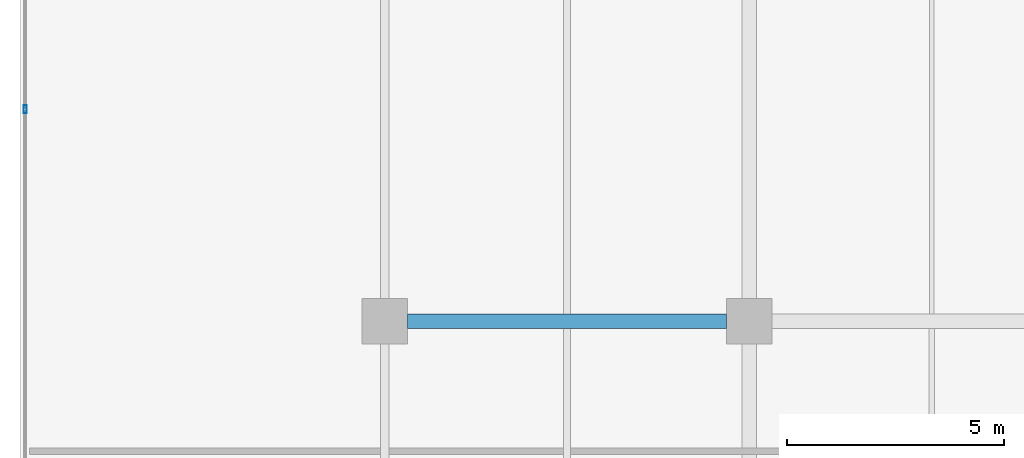
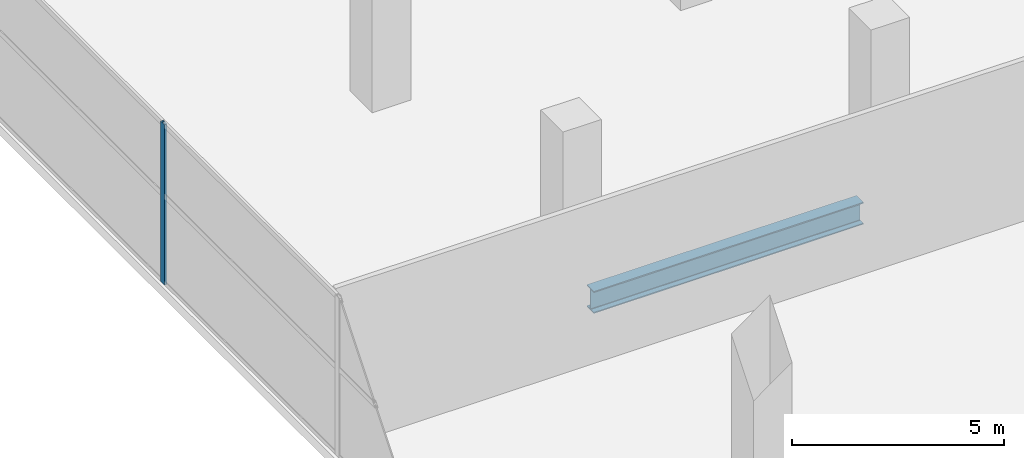
# One storey, part 9 of 39: 1 beam, 1 member, 1 element without a shape of its own.
"""IFC4 building model written with IfcOpenShell, lengths in metres."""

from ifc_helpers import new_model, si_unit, direction, frame, origin, origin_2d, place, context, subcontext, project, spatial, hollow_rectangle, i_section, extrude, material, layer, layer_set, material_profile, profile_set, type_object, element, aggregate, save


model = new_model("IFC4")

# Units and contexts
model_context = context("Model", 3, precision=1e-05, world=origin(), true_north=direction((0.0, 1.0)))
body_context = subcontext(model_context, "Body", "Model", "MODEL_VIEW")
ifc_project = project(units=[si_unit("LENGTHUNIT", "METRE"), si_unit("AREAUNIT", "SQUARE_METRE"), si_unit("VOLUMEUNIT", "CUBIC_METRE"), si_unit("PLANEANGLEUNIT", "RADIAN"), si_unit("MASSUNIT", "GRAM", prefix="KILO")], contexts=[model_context])

# Site, building, storey
site_placement = place(None, origin())
site = spatial("IfcSite", under=ifc_project, at=site_placement, CompositionType="ELEMENT")
building_placement = place(site_placement, origin())
building = spatial("IfcBuilding", under=site, at=building_placement, Name="Maruvema Waterfront Hotel and Observation Tower", CompositionType="ELEMENT")
storey_placement = place(building_placement, frame((0.0, 0.0, 16.449951171875)))
storey = spatial("IfcBuildingStorey", under=building, at=storey_placement, Name="L03", CompositionType="ELEMENT", Elevation=16.449951171875)

# Curtain wall, member
ifc_material_1 = material(Name="Anodised bronze aluminium and solar-control low-E IGU", Category="aluminium")
ifc_layer = layer(ifc_material_1, 0.159912109375, Name="Podium Waterfront Storefront Curtain Wall System CW-01")
ifc_layer_set = layer_set([ifc_layer], Name="Anodised bronze aluminium and solar-control low-E IGU")
curtain_wall_type = type_object("IfcCurtainWallType", Name="Podium Waterfront Storefront Curtain Wall System CW-01", PredefinedType="USERDEFINED", material=ifc_layer_set)
curtain_wall_placement = place(storey_placement, origin())
curtain_wall = element("IfcCurtainWall", 1, at=curtain_wall_placement, inside=storey, type_object=curtain_wall_type, Name="L03 Curtain Wall CW-L03-W", ObjectType="UNITISED CURTAIN WALL", PredefinedType="USERDEFINED")
ifc_material_2 = material(Name="Anodised architectural bronze aluminium", Category="aluminium")
ifc_material_profile_1 = material_profile(ifc_material_2, hollow_rectangle(XDim=0.070068359375, YDim=0.18994140625, WallThickness=0.00390625, at=origin_2d()), Name="ALU-M70x190")
ifc_profile_set_1 = profile_set([ifc_material_profile_1], Name="Anodised architectural bronze aluminium")
member_type = type_object("IfcMemberType", Name="Podium Storefront Heavy Mullion ALU-M70x190", PredefinedType="MULLION", material=ifc_profile_set_1)
member_placement = place(storey_placement, frame((0.1201171875, 22.8798828125, 0.0), z_axis=(0.0, 0.0, 1.0), x_axis=(1.0, 0.0, 0.0)))
member = element("IfcMember", 2, at=member_placement, type_object=member_type, Name="CW-01 mullion 4", PredefinedType="MULLION", context=body_context, shape_type="SweptSolid", body=[
    extrude(hollow_rectangle(XDim=0.070068359375, YDim=0.18994140625, WallThickness=0.00390625, at=origin_2d()), origin(), (0.0, 0.0, 1.0), 4.6201171875),
])
aggregate(curtain_wall, [member])

# Beam
ifc_material_3 = material(Name="Steel ASTM A572 Grade 50", Category="steel")
ifc_material_profile_2 = material_profile(ifc_material_3, i_section(OverallWidth=0.3291015625, OverallDepth=0.635009765625, WebThickness=0.017822265625, FlangeThickness=0.031005859375, FilletRadius=0.01806640625, at=origin_2d()), Name="W610x241.0")
ifc_profile_set_2 = profile_set([ifc_material_profile_2], Name="Steel ASTM A572 Grade 50")
beam_type = type_object("IfcBeamType", Name="Primary Floor Girder W610x241.0", PredefinedType="BEAM", material=ifc_profile_set_2)
beam_placement = place(storey_placement, frame((8.925048828125, 18.0, -0.597412109375), z_axis=(1.0, 0.0, 0.0), x_axis=(0.0, 1.0, 0.0)))
element("IfcBeam", 3, at=beam_placement, inside=storey, type_object=beam_type, Name="L03 Floor Girder EW-15", PredefinedType="BEAM", context=body_context, shape_type="SweptSolid", body=[
    extrude(i_section(OverallWidth=0.3291015625, OverallDepth=0.635009765625, WebThickness=0.017822265625, FlangeThickness=0.031005859375, FilletRadius=0.01806640625, at=origin_2d()), origin(), (0.0, 0.0, 1.0), 7.349853515625),
])

save(model, "model.ifc")
